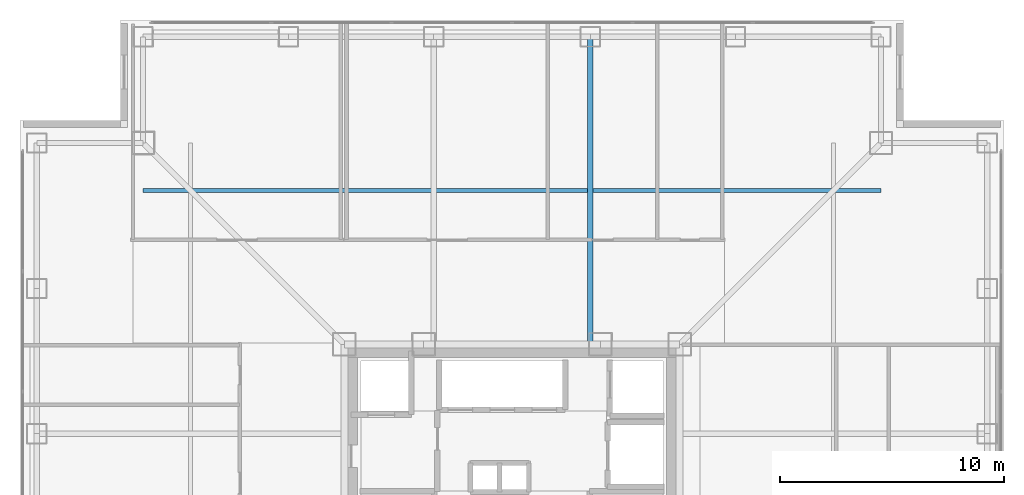
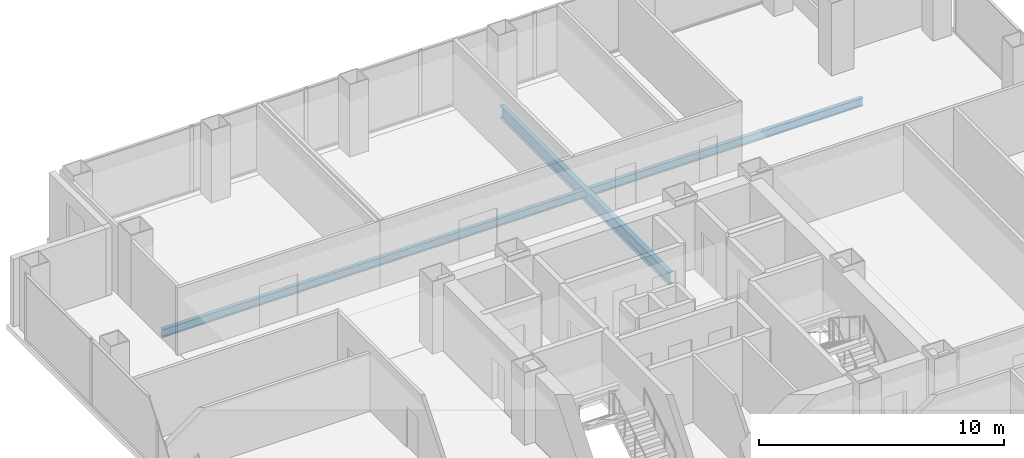
# One storey, part 10 of 17: 2 beams.
"""IFC4 building model written with IfcOpenShell, lengths in metres."""

from ifc_helpers import new_model, si_unit, direction, frame, origin, origin_2d, place, context, subcontext, project, spatial, i_section, extrude, material, material_profile, profile_set, type_object, element, save


model = new_model("IFC4")

# Units and contexts
model_context = context("Model", 3, precision=1e-05, world=origin(), true_north=direction((0.0, 1.0)))
body_context = subcontext(model_context, "Body", "Model", "MODEL_VIEW")
ifc_project = project(units=[si_unit("LENGTHUNIT", "METRE"), si_unit("AREAUNIT", "SQUARE_METRE"), si_unit("VOLUMEUNIT", "CUBIC_METRE"), si_unit("PLANEANGLEUNIT", "RADIAN"), si_unit("MASSUNIT", "GRAM", prefix="KILO")], contexts=[model_context])

# Site, building, storey
site_placement = place(None, origin())
site = spatial("IfcSite", under=ifc_project, at=site_placement, CompositionType="ELEMENT")
building_placement = place(site_placement, origin())
building = spatial("IfcBuilding", under=site, at=building_placement, Name="Trevonay Congress Spire", CompositionType="ELEMENT")
storey_placement = place(building_placement, frame((0.0, 0.0, 130.0)))
storey = spatial("IfcBuildingStorey", under=building, at=storey_placement, Name="L33", CompositionType="ELEMENT", Elevation=130.0)

# Beams
ifc_material = material(Name="Steel ASTM A572 Grade 50", Category="steel")
ifc_material_profile_1 = material_profile(ifc_material, i_section(OverallWidth=0.22998046875, OverallDepth=0.616943359375, WebThickness=0.01318359375, FlangeThickness=0.022216796875, FilletRadius=0.01611328125, at=origin_2d()), Name="W610x140")
ifc_profile_set_1 = profile_set([ifc_material_profile_1], Name="Steel ASTM A572 Grade 50")
beam_type_1 = type_object("IfcBeamType", Name="BM-GIRD-W610X140", PredefinedType="BEAM", material=ifc_profile_set_1)
beam_1_placement = place(storey_placement, frame((3.5, 7.5, -0.548583984375), z_axis=(0.0, 1.0, 0.0), x_axis=(-1.0, 0.0, 0.0)))
element("IfcBeam", 1, at=beam_1_placement, inside=storey, type_object=beam_type_1, Name="L33 structural beam BM-L33-GN-P", PredefinedType="BEAM", context=body_context, shape_type="SweptSolid", body=[
    extrude(i_section(OverallWidth=0.22998046875, OverallDepth=0.616943359375, WebThickness=0.01318359375, FlangeThickness=0.022216796875, FilletRadius=0.01611328125, at=origin_2d()), origin(), (0.0, 0.0, 1.0), 13.75),
])
ifc_material_profile_2 = material_profile(ifc_material, i_section(OverallWidth=0.177978515625, OverallDepth=0.406982421875, WebThickness=0.0078125, FlangeThickness=0.0126953125, FilletRadius=0.012939453125, at=origin_2d()), Name="W410x60")
ifc_profile_set_2 = profile_set([ifc_material_profile_2], Name="Steel ASTM A572 Grade 50")
beam_type_2 = type_object("IfcBeamType", Name="JS-COMP-W410X60", PredefinedType="JOIST", material=ifc_profile_set_2)
beam_2_placement = place(storey_placement, frame((-16.5, 14.375, -0.443603515625), z_axis=(1.0, 0.0, 0.0), x_axis=(0.0, 1.0, 0.0)))
element("IfcBeam", 2, at=beam_2_placement, inside=storey, type_object=beam_type_2, Name="L33 structural beam JS-L33-RING-N", PredefinedType="JOIST", context=body_context, shape_type="SweptSolid", body=[
    extrude(i_section(OverallWidth=0.177978515625, OverallDepth=0.406982421875, WebThickness=0.0078125, FlangeThickness=0.0126953125, FilletRadius=0.012939453125, at=origin_2d()), origin(), (0.0, 0.0, 1.0), 33.0),
])

save(model, "model.ifc")
